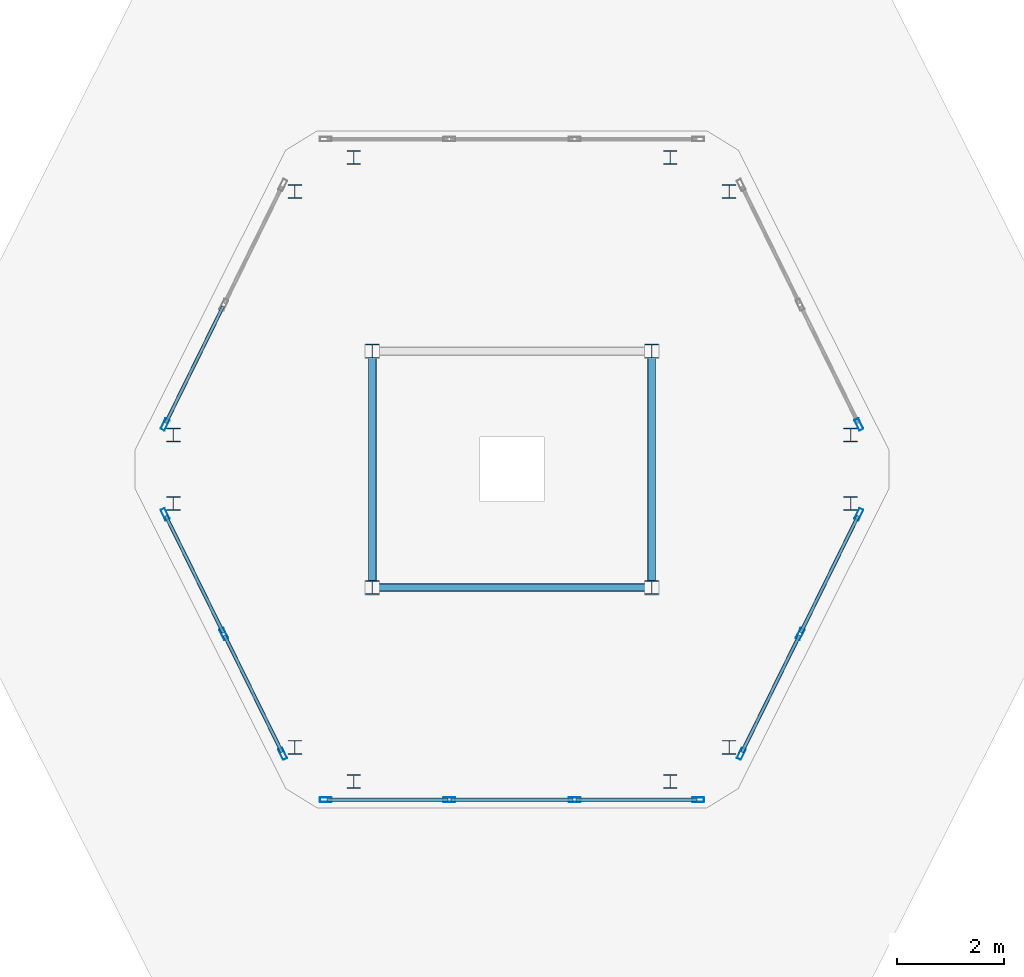
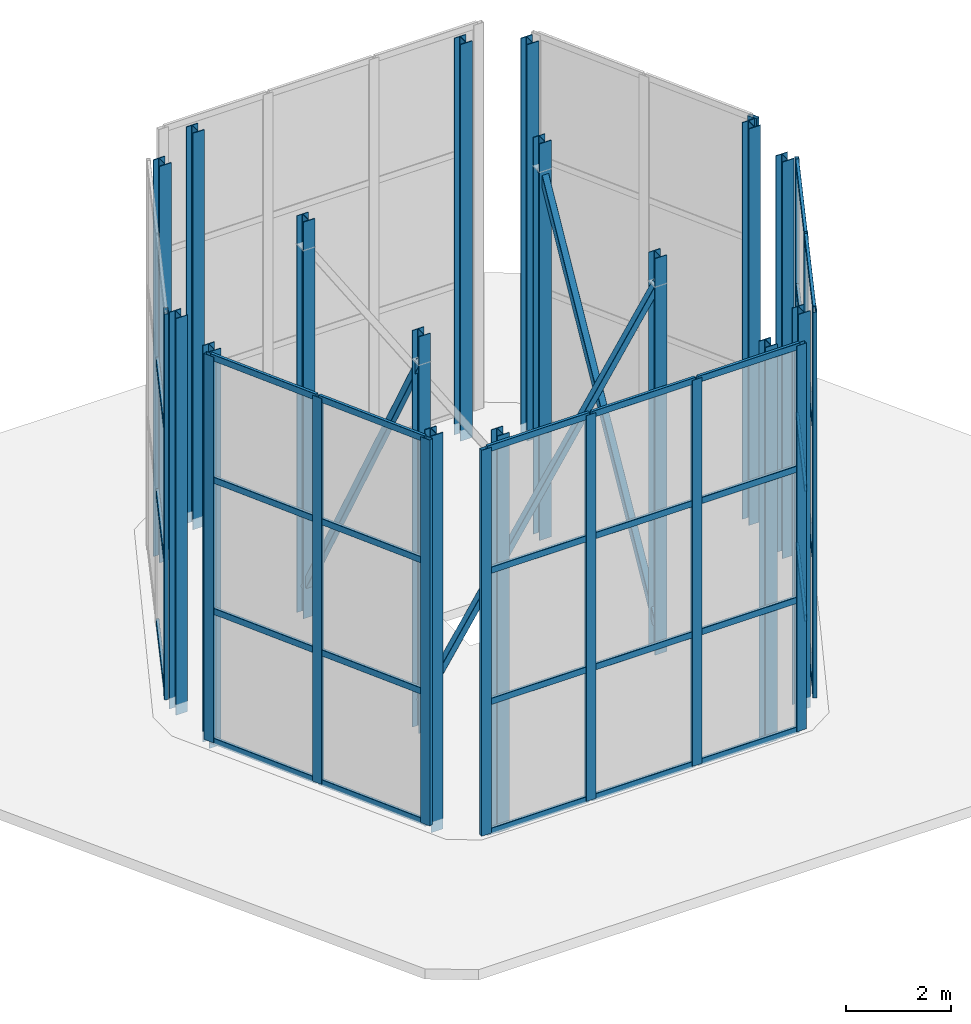
# One storey, part 1 of 3: 46 members, 16 columns, 5 elements without a shape of their own.
"""IFC4 building model written with IfcOpenShell, lengths in metres."""

from ifc_helpers import new_model, si_unit, direction, frame, origin, origin_2d, place, context, subcontext, project, spatial, hollow_rectangle, i_section, extrude, material, layer, layer_set, material_profile, profile_set, type_object, element, aggregate, save


model = new_model("IFC4")

# Units and contexts
model_context = context("Model", 3, precision=1e-05, world=origin(), true_north=direction((0.0, 1.0)))
body_context = subcontext(model_context, "Body", "Model", "MODEL_VIEW")
ifc_project = project(units=[si_unit("LENGTHUNIT", "METRE"), si_unit("AREAUNIT", "SQUARE_METRE"), si_unit("VOLUMEUNIT", "CUBIC_METRE"), si_unit("PLANEANGLEUNIT", "RADIAN"), si_unit("MASSUNIT", "GRAM", prefix="KILO")], contexts=[model_context])

# Site, building, storey
site_placement = place(None, origin())
site = spatial("IfcSite", under=ifc_project, at=site_placement, CompositionType="ELEMENT")
building_placement = place(site_placement, origin())
building = spatial("IfcBuilding", under=site, at=building_placement, Name="Cinnabar Lancet Tower", CompositionType="ELEMENT")
storey_placement = place(building_placement, frame((0.0, 0.0, 333.02490234375)))
storey = spatial("IfcBuildingStorey", under=building, at=storey_placement, Name="L83", CompositionType="ELEMENT", Elevation=333.02490234375)

# Columns
ifc_material_1 = material(Name="Structural steel S460", Category="steel")
ifc_material_profile_1 = material_profile(ifc_material_1, i_section(OverallWidth=0.25634765625, OverallDepth=0.26025390625, WebThickness=0.01025390625, FlangeThickness=0.017333984375, FilletRadius=0.0126953125, at=origin_2d()), Name="UKC 254x254x89")
ifc_profile_set_1 = profile_set([ifc_material_profile_1], Name="Structural steel S460")
column_type = type_object("IfcColumnType", Name="STR-COL-STL-89", PredefinedType="COLUMN", material=ifc_profile_set_1)
for number, where, z_axis, x_axis, name in (
    (1, (29.452880859375, 19.989990234375, -0.25), (0.0, 0.0, 1.0), (1.0, 0.0, 0.0), "L83 Crown Lancet Steel Rib Column 1"),
    (2, (35.346923828125, 19.989990234375, -0.25), (0.0, 0.0, 1.0), (1.0, 0.0, 0.0), "L83 Crown Lancet Steel Rib Column 2"),
    (3, (36.44189453125, 20.6259765625, -0.25), (0.0, 0.0, 1.0), (1.0, 0.0, 0.0), "L83 Crown Lancet Steel Rib Column 3"),
    (4, (38.7041015625, 25.1630859375, -0.25), (0.0, 0.0, 1.0), (1.0, 0.0, 0.0), "L83 Crown Lancet Steel Rib Column 4"),
    (5, (38.7041015625, 26.43701171875, -0.25), (0.0, 0.0, 1.0), (1.0, 0.0, 0.0), "L83 Crown Lancet Steel Rib Column 5"),
    (6, (36.44189453125, 30.97412109375, -0.25), (0.0, 0.0, 1.0), (1.0, 0.0, 0.0), "L83 Crown Lancet Steel Rib Column 6"),
    (7, (35.346923828125, 31.610107421875, -0.25), (0.0, 0.0, 1.0), (1.0, 0.0, 0.0), "L83 Crown Lancet Steel Rib Column 7"),
    (8, (29.452880859375, 31.610107421875, -0.25), (0.0, 0.0, 1.0), (1.0, 0.0, 0.0), "L83 Crown Lancet Steel Rib Column 8"),
    (9, (28.35791015625, 30.97412109375, -0.25), (0.0, 0.0, 1.0), (1.0, 0.0, 0.0), "L83 Crown Lancet Steel Rib Column 9"),
    (10, (26.095947265625, 26.43701171875, -0.25), (0.0, 0.0, 1.0), (1.0, 0.0, 0.0), "L83 Crown Lancet Steel Rib Column 10"),
    (11, (26.095947265625, 25.1630859375, -0.25), (0.0, 0.0, 1.0), (1.0, 0.0, 0.0), "L83 Crown Lancet Steel Rib Column 11"),
    (12, (28.35791015625, 20.6259765625, -0.25), (0.0, 0.0, 1.0), (1.0, 0.0, 0.0), "L83 Crown Lancet Steel Rib Column 12"),
    (13, (29.800048828125, 23.60009765625, -0.25), (0.0, 0.0, 1.0), (1.0, 0.0, 0.0), "L83 Crown Inner Ring Column SW"),
    (14, (35.0, 23.60009765625, -0.25), (0.0, 0.0, 1.0), (1.0, 0.0, 0.0), "L83 Crown Inner Ring Column SE"),
    (15, (35.0, 28.0, -0.25), (0.0, 0.0, 1.0), (1.0, 0.0, 0.0), "L83 Crown Inner Ring Column NE"),
    (16, (29.800048828125, 28.0, -0.25), (0.0, 0.0, 1.0), (1.0, 0.0, 0.0), "L83 Crown Inner Ring Column NW"),
):
    element("IfcColumn", number, at=place(storey_placement, frame(where, z_axis=z_axis, x_axis=x_axis)), inside=storey, type_object=column_type, Name=name, PredefinedType="COLUMN", context=body_context, shape_type="SweptSolid", body=[
        extrude(i_section(OverallWidth=0.25634765625, OverallDepth=0.26025390625, WebThickness=0.01025390625, FlangeThickness=0.017333984375, FilletRadius=0.0126953125, at=origin_2d()), origin(), (0.0, 0.0, 1.0), 9.22509765625),
    ])

# Curtain wall, members
ifc_material_2 = material(Name="Thermally broken bronze-anodized aluminium and low-E glass", Category="aluminium")
ifc_layer = layer(ifc_material_2, 0.179931640625)
ifc_layer_set = layer_set([ifc_layer], Name="Thermally broken bronze-anodized aluminium and low-E glass")
curtain_wall_type = type_object("IfcCurtainWallType", Name="ENV-CW-SYS-06", PredefinedType="NOTDEFINED", material=ifc_layer_set)
curtain_wall_1_placement = place(storey_placement, origin())
curtain_wall_1 = element("IfcCurtainWall", 17, at=curtain_wall_1_placement, inside=storey, type_object=curtain_wall_type, Name="L83 Faceted Lancet Crown Curtain Wall 2", PredefinedType="NOTDEFINED")
ifc_material_3 = material(Name="Anodized architectural aluminium 6063-T6", Category="aluminium")
ifc_material_profile_2 = material_profile(ifc_material_3, hollow_rectangle(XDim=0.0849609375, YDim=0.219970703125, WallThickness=0.0048828125, InnerFilletRadius=0.00244140625, OuterFilletRadius=0.007568359375, at=origin_2d()), Name="CW-MUL 220x85x5")
ifc_profile_set_2 = profile_set([ifc_material_profile_2], Name="Anodized architectural aluminium 6063-T6")
member_type_1 = type_object("IfcMemberType", Name="ENV-CW-MUL-220", PredefinedType="MULLION", material=ifc_profile_set_2)
member_1_placement = place(storey_placement, frame((28.93310546875, 19.64990234375, 0.0), z_axis=(0.0, 0.0, 1.0), x_axis=(0.0, 1.0, 0.0)))
member_1 = element("IfcMember", 18, at=member_1_placement, type_object=member_type_1, Name="CW-06 mullion 1", PredefinedType="MULLION", context=body_context, shape_type="SweptSolid", body=[
    extrude(hollow_rectangle(XDim=0.0849609375, YDim=0.219970703125, WallThickness=0.0048828125, InnerFilletRadius=0.00244140625, OuterFilletRadius=0.007568359375, at=origin_2d()), origin(), (0.0, 0.0, 1.0), 8.97509765625),
])
member_2_placement = place(storey_placement, frame((31.234375, 19.64990234375, 0.0), z_axis=(0.0, 0.0, 1.0), x_axis=(0.0, 1.0, 0.0)))
member_2 = element("IfcMember", 19, at=member_2_placement, type_object=member_type_1, Name="CW-06 mullion 2", PredefinedType="MULLION", context=body_context, shape_type="SweptSolid", body=[
    extrude(hollow_rectangle(XDim=0.0849609375, YDim=0.219970703125, WallThickness=0.0048828125, InnerFilletRadius=0.00244140625, OuterFilletRadius=0.007568359375, at=origin_2d()), origin(), (0.0, 0.0, 1.0), 8.97509765625),
])
member_3_placement = place(storey_placement, frame((33.565673828125, 19.64990234375, 0.0), z_axis=(0.0, 0.0, 1.0), x_axis=(0.0, 1.0, 0.0)))
member_3 = element("IfcMember", 20, at=member_3_placement, type_object=member_type_1, Name="CW-06 mullion 3", PredefinedType="MULLION", context=body_context, shape_type="SweptSolid", body=[
    extrude(hollow_rectangle(XDim=0.0849609375, YDim=0.219970703125, WallThickness=0.0048828125, InnerFilletRadius=0.00244140625, OuterFilletRadius=0.007568359375, at=origin_2d()), origin(), (0.0, 0.0, 1.0), 8.97509765625),
])
member_4_placement = place(storey_placement, frame((35.866943359375, 19.64990234375, 0.0), z_axis=(0.0, 0.0, 1.0), x_axis=(0.0, 1.0, 0.0)))
member_4 = element("IfcMember", 21, at=member_4_placement, type_object=member_type_1, Name="CW-06 mullion 4", PredefinedType="MULLION", context=body_context, shape_type="SweptSolid", body=[
    extrude(hollow_rectangle(XDim=0.0849609375, YDim=0.219970703125, WallThickness=0.0048828125, InnerFilletRadius=0.00244140625, OuterFilletRadius=0.007568359375, at=origin_2d()), origin(), (0.0, 0.0, 1.0), 8.97509765625),
])

curtain_wall_2_placement = place(storey_placement, origin())
curtain_wall_2 = element("IfcCurtainWall", 22, at=curtain_wall_2_placement, inside=storey, type_object=curtain_wall_type, Name="L83 Faceted Lancet Crown Curtain Wall 5", PredefinedType="NOTDEFINED")
member_5_placement = place(storey_placement, frame((36.669189453125, 20.5068359375, 0.0), z_axis=(0.0, 0.0, 1.0), x_axis=(-0.897510109675, 0.440993880945, 0.0)))
member_5 = element("IfcMember", 23, at=member_5_placement, type_object=member_type_1, Name="CW-06 mullion 1", PredefinedType="MULLION", context=body_context, shape_type="SweptSolid", body=[
    extrude(hollow_rectangle(XDim=0.0849609375, YDim=0.219970703125, WallThickness=0.0048828125, InnerFilletRadius=0.00244140625, OuterFilletRadius=0.007568359375, at=origin_2d()), origin(), (0.0, 0.0, 1.0), 8.97509765625),
])
member_6_placement = place(storey_placement, frame((37.763916015625, 22.735107421875, 0.0), z_axis=(0.0, 0.0, 1.0), x_axis=(-0.897510109675, 0.440993880945, 0.0)))
member_6 = element("IfcMember", 24, at=member_6_placement, type_object=member_type_1, Name="CW-06 mullion 2", PredefinedType="MULLION", context=body_context, shape_type="SweptSolid", body=[
    extrude(hollow_rectangle(XDim=0.0849609375, YDim=0.219970703125, WallThickness=0.0048828125, InnerFilletRadius=0.00244140625, OuterFilletRadius=0.007568359375, at=origin_2d()), origin(), (0.0, 0.0, 1.0), 8.97509765625),
])
member_7_placement = place(storey_placement, frame((38.85888671875, 24.963134765625, 0.0), z_axis=(0.0, 0.0, 1.0), x_axis=(-0.897510109675, 0.440993880945, 0.0)))
member_7 = element("IfcMember", 25, at=member_7_placement, type_object=member_type_1, Name="CW-06 mullion 3", PredefinedType="MULLION", context=body_context, shape_type="SweptSolid", body=[
    extrude(hollow_rectangle(XDim=0.0849609375, YDim=0.219970703125, WallThickness=0.0048828125, InnerFilletRadius=0.00244140625, OuterFilletRadius=0.007568359375, at=origin_2d()), origin(), (0.0, 0.0, 1.0), 8.97509765625),
])

# Curtain wall, member
curtain_wall_3_placement = place(storey_placement, origin())
curtain_wall_3 = element("IfcCurtainWall", 26, at=curtain_wall_3_placement, inside=storey, type_object=curtain_wall_type, Name="L83 Faceted Lancet Crown Curtain Wall 7", PredefinedType="NOTDEFINED")
member_8_placement = place(storey_placement, frame((38.85888671875, 26.636962890625, 0.0), z_axis=(0.0, 0.0, 1.0), x_axis=(-0.897510109675, -0.440993880945, 0.0)))
member_8 = element("IfcMember", 27, at=member_8_placement, type_object=member_type_1, Name="CW-06 mullion 1", PredefinedType="MULLION", context=body_context, shape_type="SweptSolid", body=[
    extrude(hollow_rectangle(XDim=0.0849609375, YDim=0.219970703125, WallThickness=0.0048828125, InnerFilletRadius=0.00244140625, OuterFilletRadius=0.007568359375, at=origin_2d()), origin(), (0.0, 0.0, 1.0), 8.97509765625),
])
aggregate(curtain_wall_3, [member_8])

curtain_wall_4_placement = place(storey_placement, origin())
curtain_wall_4 = element("IfcCurtainWall", 28, at=curtain_wall_4_placement, inside=storey, type_object=curtain_wall_type, Name="L83 Faceted Lancet Crown Curtain Wall 13", PredefinedType="NOTDEFINED")
member_9_placement = place(storey_placement, frame((25.941162109375, 26.636962890625, 0.0), z_axis=(0.0, 0.0, 1.0), x_axis=(0.897510109675, -0.440993880945, 0.0)))
member_9 = element("IfcMember", 29, at=member_9_placement, type_object=member_type_1, Name="CW-06 mullion 3", PredefinedType="MULLION", context=body_context, shape_type="SweptSolid", body=[
    extrude(hollow_rectangle(XDim=0.0849609375, YDim=0.219970703125, WallThickness=0.0048828125, InnerFilletRadius=0.00244140625, OuterFilletRadius=0.007568359375, at=origin_2d()), origin(), (0.0, 0.0, 1.0), 8.97509765625),
])

# Curtain wall, members
curtain_wall_5_placement = place(storey_placement, origin())
curtain_wall_5 = element("IfcCurtainWall", 30, at=curtain_wall_5_placement, inside=storey, type_object=curtain_wall_type, Name="L83 Faceted Lancet Crown Curtain Wall 15", PredefinedType="NOTDEFINED")
member_10_placement = place(storey_placement, frame((25.941162109375, 24.963134765625, 0.0), z_axis=(0.0, 0.0, 1.0), x_axis=(0.897510109675, 0.440993880945, 0.0)))
member_10 = element("IfcMember", 31, at=member_10_placement, type_object=member_type_1, Name="CW-06 mullion 1", PredefinedType="MULLION", context=body_context, shape_type="SweptSolid", body=[
    extrude(hollow_rectangle(XDim=0.0849609375, YDim=0.219970703125, WallThickness=0.0048828125, InnerFilletRadius=0.00244140625, OuterFilletRadius=0.007568359375, at=origin_2d()), origin(), (0.0, 0.0, 1.0), 8.97509765625),
])
member_11_placement = place(storey_placement, frame((27.035888671875, 22.735107421875, 0.0), z_axis=(0.0, 0.0, 1.0), x_axis=(0.897510109675, 0.440993880945, 0.0)))
member_11 = element("IfcMember", 32, at=member_11_placement, type_object=member_type_1, Name="CW-06 mullion 2", PredefinedType="MULLION", context=body_context, shape_type="SweptSolid", body=[
    extrude(hollow_rectangle(XDim=0.0849609375, YDim=0.219970703125, WallThickness=0.0048828125, InnerFilletRadius=0.00244140625, OuterFilletRadius=0.007568359375, at=origin_2d()), origin(), (0.0, 0.0, 1.0), 8.97509765625),
])
member_12_placement = place(storey_placement, frame((28.130859375, 20.5068359375, 0.0), z_axis=(0.0, 0.0, 1.0), x_axis=(0.897510109675, 0.440993880945, 0.0)))
member_12 = element("IfcMember", 33, at=member_12_placement, type_object=member_type_1, Name="CW-06 mullion 3", PredefinedType="MULLION", context=body_context, shape_type="SweptSolid", body=[
    extrude(hollow_rectangle(XDim=0.0849609375, YDim=0.219970703125, WallThickness=0.0048828125, InnerFilletRadius=0.00244140625, OuterFilletRadius=0.007568359375, at=origin_2d()), origin(), (0.0, 0.0, 1.0), 8.97509765625),
])

# Member
ifc_material_4 = material(Name="Anodized architectural aluminium 6063-T6", Category="aluminium")
ifc_material_profile_3 = material_profile(ifc_material_4, hollow_rectangle(XDim=0.06494140625, YDim=0.14990234375, WallThickness=0.00390625, InnerFilletRadius=0.001953125, OuterFilletRadius=0.006103515625, at=origin_2d()), Name="CW-TRN 150x65x4")
ifc_profile_set_3 = profile_set([ifc_material_profile_3], Name="Anodized architectural aluminium 6063-T6")
member_type_2 = type_object("IfcMemberType", Name="ENV-CW-TRN-160", PredefinedType="USERDEFINED", material=ifc_profile_set_3)
member_13_placement = place(storey_placement, frame((28.962890625, 19.64990234375, 0.030029296875), z_axis=(1.0, 0.0, 0.0), x_axis=(0.0, 1.0, 0.0)))
member_13 = element("IfcMember", 34, at=member_13_placement, type_object=member_type_2, Name="CW-06 transom 1.1", ObjectType="TRANSOM", PredefinedType="USERDEFINED", context=body_context, shape_type="SweptSolid", body=[
    extrude(hollow_rectangle(XDim=0.06494140625, YDim=0.14990234375, WallThickness=0.00390625, InnerFilletRadius=0.001953125, OuterFilletRadius=0.006103515625, at=origin_2d()), origin(), (0.0, 0.0, 1.0), 2.241455078125),
])

member_14_placement = place(storey_placement, frame((28.962890625, 19.64990234375, 3.052001953125), z_axis=(1.0, 0.0, 0.0), x_axis=(0.0, 1.0, 0.0)))
member_14 = element("IfcMember", 35, at=member_14_placement, type_object=member_type_2, Name="CW-06 transom 1.2", ObjectType="TRANSOM", PredefinedType="USERDEFINED", context=body_context, shape_type="SweptSolid", body=[
    extrude(hollow_rectangle(XDim=0.06494140625, YDim=0.14990234375, WallThickness=0.00390625, InnerFilletRadius=0.001953125, OuterFilletRadius=0.006103515625, at=origin_2d()), origin(), (0.0, 0.0, 1.0), 2.241455078125),
])

member_15_placement = place(storey_placement, frame((28.962890625, 19.64990234375, 6.10302734375), z_axis=(1.0, 0.0, 0.0), x_axis=(0.0, 1.0, 0.0)))
member_15 = element("IfcMember", 36, at=member_15_placement, type_object=member_type_2, Name="CW-06 transom 1.3", ObjectType="TRANSOM", PredefinedType="USERDEFINED", context=body_context, shape_type="SweptSolid", body=[
    extrude(hollow_rectangle(XDim=0.06494140625, YDim=0.14990234375, WallThickness=0.00390625, InnerFilletRadius=0.001953125, OuterFilletRadius=0.006103515625, at=origin_2d()), origin(), (0.0, 0.0, 1.0), 2.241455078125),
])

member_16_placement = place(storey_placement, frame((28.962890625, 19.64990234375, 8.945068359375), z_axis=(1.0, 0.0, 0.0), x_axis=(0.0, 1.0, 0.0)))
member_16 = element("IfcMember", 37, at=member_16_placement, type_object=member_type_2, Name="CW-06 transom 1.4", ObjectType="TRANSOM", PredefinedType="USERDEFINED", context=body_context, shape_type="SweptSolid", body=[
    extrude(hollow_rectangle(XDim=0.06494140625, YDim=0.14990234375, WallThickness=0.00390625, InnerFilletRadius=0.001953125, OuterFilletRadius=0.006103515625, at=origin_2d()), origin(), (0.0, 0.0, 1.0), 2.241455078125),
])

member_17_placement = place(storey_placement, frame((31.264404296875, 19.64990234375, 0.030029296875), z_axis=(1.0, 0.0, 0.0), x_axis=(0.0, 1.0, 0.0)))
member_17 = element("IfcMember", 38, at=member_17_placement, type_object=member_type_2, Name="CW-06 transom 2.1", ObjectType="TRANSOM", PredefinedType="USERDEFINED", context=body_context, shape_type="SweptSolid", body=[
    extrude(hollow_rectangle(XDim=0.06494140625, YDim=0.14990234375, WallThickness=0.00390625, InnerFilletRadius=0.001953125, OuterFilletRadius=0.006103515625, at=origin_2d()), origin(), (0.0, 0.0, 1.0), 2.271240234375),
])

member_18_placement = place(storey_placement, frame((31.264404296875, 19.64990234375, 3.052001953125), z_axis=(1.0, 0.0, 0.0), x_axis=(0.0, 1.0, 0.0)))
member_18 = element("IfcMember", 39, at=member_18_placement, type_object=member_type_2, Name="CW-06 transom 2.2", ObjectType="TRANSOM", PredefinedType="USERDEFINED", context=body_context, shape_type="SweptSolid", body=[
    extrude(hollow_rectangle(XDim=0.06494140625, YDim=0.14990234375, WallThickness=0.00390625, InnerFilletRadius=0.001953125, OuterFilletRadius=0.006103515625, at=origin_2d()), origin(), (0.0, 0.0, 1.0), 2.271240234375),
])

member_19_placement = place(storey_placement, frame((31.264404296875, 19.64990234375, 6.10302734375), z_axis=(1.0, 0.0, 0.0), x_axis=(0.0, 1.0, 0.0)))
member_19 = element("IfcMember", 40, at=member_19_placement, type_object=member_type_2, Name="CW-06 transom 2.3", ObjectType="TRANSOM", PredefinedType="USERDEFINED", context=body_context, shape_type="SweptSolid", body=[
    extrude(hollow_rectangle(XDim=0.06494140625, YDim=0.14990234375, WallThickness=0.00390625, InnerFilletRadius=0.001953125, OuterFilletRadius=0.006103515625, at=origin_2d()), origin(), (0.0, 0.0, 1.0), 2.271240234375),
])

member_20_placement = place(storey_placement, frame((31.264404296875, 19.64990234375, 8.945068359375), z_axis=(1.0, 0.0, 0.0), x_axis=(0.0, 1.0, 0.0)))
member_20 = element("IfcMember", 41, at=member_20_placement, type_object=member_type_2, Name="CW-06 transom 2.4", ObjectType="TRANSOM", PredefinedType="USERDEFINED", context=body_context, shape_type="SweptSolid", body=[
    extrude(hollow_rectangle(XDim=0.06494140625, YDim=0.14990234375, WallThickness=0.00390625, InnerFilletRadius=0.001953125, OuterFilletRadius=0.006103515625, at=origin_2d()), origin(), (0.0, 0.0, 1.0), 2.271240234375),
])

member_21_placement = place(storey_placement, frame((33.595703125, 19.64990234375, 0.030029296875), z_axis=(1.0, 0.0, 0.0), x_axis=(0.0, 1.0, 0.0)))
member_21 = element("IfcMember", 42, at=member_21_placement, type_object=member_type_2, Name="CW-06 transom 3.1", ObjectType="TRANSOM", PredefinedType="USERDEFINED", context=body_context, shape_type="SweptSolid", body=[
    extrude(hollow_rectangle(XDim=0.06494140625, YDim=0.14990234375, WallThickness=0.00390625, InnerFilletRadius=0.001953125, OuterFilletRadius=0.006103515625, at=origin_2d()), origin(), (0.0, 0.0, 1.0), 2.2412109375),
])

member_22_placement = place(storey_placement, frame((33.595703125, 19.64990234375, 3.052001953125), z_axis=(1.0, 0.0, 0.0), x_axis=(0.0, 1.0, 0.0)))
member_22 = element("IfcMember", 43, at=member_22_placement, type_object=member_type_2, Name="CW-06 transom 3.2", ObjectType="TRANSOM", PredefinedType="USERDEFINED", context=body_context, shape_type="SweptSolid", body=[
    extrude(hollow_rectangle(XDim=0.06494140625, YDim=0.14990234375, WallThickness=0.00390625, InnerFilletRadius=0.001953125, OuterFilletRadius=0.006103515625, at=origin_2d()), origin(), (0.0, 0.0, 1.0), 2.2412109375),
])

member_23_placement = place(storey_placement, frame((33.595703125, 19.64990234375, 6.10302734375), z_axis=(1.0, 0.0, 0.0), x_axis=(0.0, 1.0, 0.0)))
member_23 = element("IfcMember", 44, at=member_23_placement, type_object=member_type_2, Name="CW-06 transom 3.3", ObjectType="TRANSOM", PredefinedType="USERDEFINED", context=body_context, shape_type="SweptSolid", body=[
    extrude(hollow_rectangle(XDim=0.06494140625, YDim=0.14990234375, WallThickness=0.00390625, InnerFilletRadius=0.001953125, OuterFilletRadius=0.006103515625, at=origin_2d()), origin(), (0.0, 0.0, 1.0), 2.2412109375),
])

member_24_placement = place(storey_placement, frame((33.595703125, 19.64990234375, 8.945068359375), z_axis=(1.0, 0.0, 0.0), x_axis=(0.0, 1.0, 0.0)))
member_24 = element("IfcMember", 45, at=member_24_placement, type_object=member_type_2, Name="CW-06 transom 3.4", ObjectType="TRANSOM", PredefinedType="USERDEFINED", context=body_context, shape_type="SweptSolid", body=[
    extrude(hollow_rectangle(XDim=0.06494140625, YDim=0.14990234375, WallThickness=0.00390625, InnerFilletRadius=0.001953125, OuterFilletRadius=0.006103515625, at=origin_2d()), origin(), (0.0, 0.0, 1.0), 2.2412109375),
])

aggregate(curtain_wall_1, [member_1, member_2, member_3, member_4, member_13, member_14, member_15, member_16, member_17, member_18, member_19, member_20, member_21, member_22, member_23, member_24])

member_25_placement = place(storey_placement, frame((36.682373046875, 20.533935546875, 0.030029296875), z_axis=(0.441034922873, 0.897489942454, 0.0), x_axis=(-0.897489942454, 0.441034922873, 0.0)))
member_25 = element("IfcMember", 46, at=member_25_placement, type_object=member_type_2, Name="CW-06 transom 1.1", ObjectType="TRANSOM", PredefinedType="USERDEFINED", context=body_context, shape_type="SweptSolid", body=[
    extrude(hollow_rectangle(XDim=0.06494140625, YDim=0.14990234375, WallThickness=0.00390625, InnerFilletRadius=0.001953125, OuterFilletRadius=0.006103515625, at=origin_2d()), origin(), (0.0, 0.0, 1.0), 2.42236328125),
])

member_26_placement = place(storey_placement, frame((36.682373046875, 20.533935546875, 3.052001953125), z_axis=(0.441034922873, 0.897489942454, 0.0), x_axis=(-0.897489942454, 0.441034922873, 0.0)))
member_26 = element("IfcMember", 47, at=member_26_placement, type_object=member_type_2, Name="CW-06 transom 1.2", ObjectType="TRANSOM", PredefinedType="USERDEFINED", context=body_context, shape_type="SweptSolid", body=[
    extrude(hollow_rectangle(XDim=0.06494140625, YDim=0.14990234375, WallThickness=0.00390625, InnerFilletRadius=0.001953125, OuterFilletRadius=0.006103515625, at=origin_2d()), origin(), (0.0, 0.0, 1.0), 2.42236328125),
])

member_27_placement = place(storey_placement, frame((36.682373046875, 20.533935546875, 6.10302734375), z_axis=(0.441034922873, 0.897489942454, 0.0), x_axis=(-0.897489942454, 0.441034922873, 0.0)))
member_27 = element("IfcMember", 48, at=member_27_placement, type_object=member_type_2, Name="CW-06 transom 1.3", ObjectType="TRANSOM", PredefinedType="USERDEFINED", context=body_context, shape_type="SweptSolid", body=[
    extrude(hollow_rectangle(XDim=0.06494140625, YDim=0.14990234375, WallThickness=0.00390625, InnerFilletRadius=0.001953125, OuterFilletRadius=0.006103515625, at=origin_2d()), origin(), (0.0, 0.0, 1.0), 2.42236328125),
])

member_28_placement = place(storey_placement, frame((36.682373046875, 20.533935546875, 8.945068359375), z_axis=(0.441034922873, 0.897489942454, 0.0), x_axis=(-0.897489942454, 0.441034922873, 0.0)))
member_28 = element("IfcMember", 49, at=member_28_placement, type_object=member_type_2, Name="CW-06 transom 1.4", ObjectType="TRANSOM", PredefinedType="USERDEFINED", context=body_context, shape_type="SweptSolid", body=[
    extrude(hollow_rectangle(XDim=0.06494140625, YDim=0.14990234375, WallThickness=0.00390625, InnerFilletRadius=0.001953125, OuterFilletRadius=0.006103515625, at=origin_2d()), origin(), (0.0, 0.0, 1.0), 2.42236328125),
])

member_29_placement = place(storey_placement, frame((37.77734375, 22.761962890625, 0.030029296875), z_axis=(0.440953736376, 0.897529833697, 0.0), x_axis=(-0.897529833697, 0.440953736376, 0.0)))
member_29 = element("IfcMember", 50, at=member_29_placement, type_object=member_type_2, Name="CW-06 transom 2.1", ObjectType="TRANSOM", PredefinedType="USERDEFINED", context=body_context, shape_type="SweptSolid", body=[
    extrude(hollow_rectangle(XDim=0.06494140625, YDim=0.14990234375, WallThickness=0.00390625, InnerFilletRadius=0.001953125, OuterFilletRadius=0.006103515625, at=origin_2d()), origin(), (0.0, 0.0, 1.0), 2.42236328125),
])

member_30_placement = place(storey_placement, frame((37.77734375, 22.761962890625, 3.052001953125), z_axis=(0.440953736376, 0.897529833697, 0.0), x_axis=(-0.897529833697, 0.440953736376, 0.0)))
member_30 = element("IfcMember", 51, at=member_30_placement, type_object=member_type_2, Name="CW-06 transom 2.2", ObjectType="TRANSOM", PredefinedType="USERDEFINED", context=body_context, shape_type="SweptSolid", body=[
    extrude(hollow_rectangle(XDim=0.06494140625, YDim=0.14990234375, WallThickness=0.00390625, InnerFilletRadius=0.001953125, OuterFilletRadius=0.006103515625, at=origin_2d()), origin(), (0.0, 0.0, 1.0), 2.42236328125),
])

member_31_placement = place(storey_placement, frame((37.77734375, 22.761962890625, 6.10302734375), z_axis=(0.440953736376, 0.897529833697, 0.0), x_axis=(-0.897529833697, 0.440953736376, 0.0)))
member_31 = element("IfcMember", 52, at=member_31_placement, type_object=member_type_2, Name="CW-06 transom 2.3", ObjectType="TRANSOM", PredefinedType="USERDEFINED", context=body_context, shape_type="SweptSolid", body=[
    extrude(hollow_rectangle(XDim=0.06494140625, YDim=0.14990234375, WallThickness=0.00390625, InnerFilletRadius=0.001953125, OuterFilletRadius=0.006103515625, at=origin_2d()), origin(), (0.0, 0.0, 1.0), 2.42236328125),
])

member_32_placement = place(storey_placement, frame((37.77734375, 22.761962890625, 8.945068359375), z_axis=(0.440953736376, 0.897529833697, 0.0), x_axis=(-0.897529833697, 0.440953736376, 0.0)))
member_32 = element("IfcMember", 53, at=member_32_placement, type_object=member_type_2, Name="CW-06 transom 2.4", ObjectType="TRANSOM", PredefinedType="USERDEFINED", context=body_context, shape_type="SweptSolid", body=[
    extrude(hollow_rectangle(XDim=0.06494140625, YDim=0.14990234375, WallThickness=0.00390625, InnerFilletRadius=0.001953125, OuterFilletRadius=0.006103515625, at=origin_2d()), origin(), (0.0, 0.0, 1.0), 2.42236328125),
])

aggregate(curtain_wall_2, [member_5, member_6, member_7, member_25, member_26, member_27, member_28, member_29, member_30, member_31, member_32])

member_33_placement = place(storey_placement, frame((27.022705078125, 28.838134765625, 0.030029296875), z_axis=(-0.440995032904, -0.897509543656, 0.0), x_axis=(0.897509543656, -0.440995032904, 0.0)))
member_33 = element("IfcMember", 54, at=member_33_placement, type_object=member_type_2, Name="CW-06 transom 2.1", ObjectType="TRANSOM", PredefinedType="USERDEFINED", context=body_context, shape_type="SweptSolid", body=[
    extrude(hollow_rectangle(XDim=0.06494140625, YDim=0.14990234375, WallThickness=0.00390625, InnerFilletRadius=0.001953125, OuterFilletRadius=0.006103515625, at=origin_2d()), origin(), (0.0, 0.0, 1.0), 2.422607421875),
])

member_34_placement = place(storey_placement, frame((27.022705078125, 28.838134765625, 3.052001953125), z_axis=(-0.440995032904, -0.897509543656, 0.0), x_axis=(0.897509543656, -0.440995032904, 0.0)))
member_34 = element("IfcMember", 55, at=member_34_placement, type_object=member_type_2, Name="CW-06 transom 2.2", ObjectType="TRANSOM", PredefinedType="USERDEFINED", context=body_context, shape_type="SweptSolid", body=[
    extrude(hollow_rectangle(XDim=0.06494140625, YDim=0.14990234375, WallThickness=0.00390625, InnerFilletRadius=0.001953125, OuterFilletRadius=0.006103515625, at=origin_2d()), origin(), (0.0, 0.0, 1.0), 2.422607421875),
])

member_35_placement = place(storey_placement, frame((27.022705078125, 28.838134765625, 6.10302734375), z_axis=(-0.440995032904, -0.897509543656, 0.0), x_axis=(0.897509543656, -0.440995032904, 0.0)))
member_35 = element("IfcMember", 56, at=member_35_placement, type_object=member_type_2, Name="CW-06 transom 2.3", ObjectType="TRANSOM", PredefinedType="USERDEFINED", context=body_context, shape_type="SweptSolid", body=[
    extrude(hollow_rectangle(XDim=0.06494140625, YDim=0.14990234375, WallThickness=0.00390625, InnerFilletRadius=0.001953125, OuterFilletRadius=0.006103515625, at=origin_2d()), origin(), (0.0, 0.0, 1.0), 2.422607421875),
])

aggregate(curtain_wall_4, [member_9, member_33, member_34, member_35])

member_36_placement = place(storey_placement, frame((25.954345703125, 24.93603515625, 0.030029296875), z_axis=(0.441034922873, -0.897489942454, 0.0), x_axis=(0.897489942454, 0.441034922873, 0.0)))
member_36 = element("IfcMember", 57, at=member_36_placement, type_object=member_type_2, Name="CW-06 transom 1.1", ObjectType="TRANSOM", PredefinedType="USERDEFINED", context=body_context, shape_type="SweptSolid", body=[
    extrude(hollow_rectangle(XDim=0.06494140625, YDim=0.14990234375, WallThickness=0.00390625, InnerFilletRadius=0.001953125, OuterFilletRadius=0.006103515625, at=origin_2d()), origin(), (0.0, 0.0, 1.0), 2.42236328125),
])

member_37_placement = place(storey_placement, frame((25.954345703125, 24.93603515625, 3.052001953125), z_axis=(0.441034922873, -0.897489942454, 0.0), x_axis=(0.897489942454, 0.441034922873, 0.0)))
member_37 = element("IfcMember", 58, at=member_37_placement, type_object=member_type_2, Name="CW-06 transom 1.2", ObjectType="TRANSOM", PredefinedType="USERDEFINED", context=body_context, shape_type="SweptSolid", body=[
    extrude(hollow_rectangle(XDim=0.06494140625, YDim=0.14990234375, WallThickness=0.00390625, InnerFilletRadius=0.001953125, OuterFilletRadius=0.006103515625, at=origin_2d()), origin(), (0.0, 0.0, 1.0), 2.42236328125),
])

member_38_placement = place(storey_placement, frame((25.954345703125, 24.93603515625, 6.10302734375), z_axis=(0.441034922873, -0.897489942454, 0.0), x_axis=(0.897489942454, 0.441034922873, 0.0)))
member_38 = element("IfcMember", 59, at=member_38_placement, type_object=member_type_2, Name="CW-06 transom 1.3", ObjectType="TRANSOM", PredefinedType="USERDEFINED", context=body_context, shape_type="SweptSolid", body=[
    extrude(hollow_rectangle(XDim=0.06494140625, YDim=0.14990234375, WallThickness=0.00390625, InnerFilletRadius=0.001953125, OuterFilletRadius=0.006103515625, at=origin_2d()), origin(), (0.0, 0.0, 1.0), 2.42236328125),
])

member_39_placement = place(storey_placement, frame((25.954345703125, 24.93603515625, 8.945068359375), z_axis=(0.441034922873, -0.897489942454, 0.0), x_axis=(0.897489942454, 0.441034922873, 0.0)))
member_39 = element("IfcMember", 60, at=member_39_placement, type_object=member_type_2, Name="CW-06 transom 1.4", ObjectType="TRANSOM", PredefinedType="USERDEFINED", context=body_context, shape_type="SweptSolid", body=[
    extrude(hollow_rectangle(XDim=0.06494140625, YDim=0.14990234375, WallThickness=0.00390625, InnerFilletRadius=0.001953125, OuterFilletRadius=0.006103515625, at=origin_2d()), origin(), (0.0, 0.0, 1.0), 2.42236328125),
])

member_40_placement = place(storey_placement, frame((27.04931640625, 22.7080078125, 0.030029296875), z_axis=(0.440953736376, -0.897529833697, 0.0), x_axis=(0.897529833697, 0.440953736376, 0.0)))
member_40 = element("IfcMember", 61, at=member_40_placement, type_object=member_type_2, Name="CW-06 transom 2.1", ObjectType="TRANSOM", PredefinedType="USERDEFINED", context=body_context, shape_type="SweptSolid", body=[
    extrude(hollow_rectangle(XDim=0.06494140625, YDim=0.14990234375, WallThickness=0.00390625, InnerFilletRadius=0.001953125, OuterFilletRadius=0.006103515625, at=origin_2d()), origin(), (0.0, 0.0, 1.0), 2.42236328125),
])

member_41_placement = place(storey_placement, frame((27.04931640625, 22.7080078125, 3.052001953125), z_axis=(0.440953736376, -0.897529833697, 0.0), x_axis=(0.897529833697, 0.440953736376, 0.0)))
member_41 = element("IfcMember", 62, at=member_41_placement, type_object=member_type_2, Name="CW-06 transom 2.2", ObjectType="TRANSOM", PredefinedType="USERDEFINED", context=body_context, shape_type="SweptSolid", body=[
    extrude(hollow_rectangle(XDim=0.06494140625, YDim=0.14990234375, WallThickness=0.00390625, InnerFilletRadius=0.001953125, OuterFilletRadius=0.006103515625, at=origin_2d()), origin(), (0.0, 0.0, 1.0), 2.42236328125),
])

member_42_placement = place(storey_placement, frame((27.04931640625, 22.7080078125, 6.10302734375), z_axis=(0.440953736376, -0.897529833697, 0.0), x_axis=(0.897529833697, 0.440953736376, 0.0)))
member_42 = element("IfcMember", 63, at=member_42_placement, type_object=member_type_2, Name="CW-06 transom 2.3", ObjectType="TRANSOM", PredefinedType="USERDEFINED", context=body_context, shape_type="SweptSolid", body=[
    extrude(hollow_rectangle(XDim=0.06494140625, YDim=0.14990234375, WallThickness=0.00390625, InnerFilletRadius=0.001953125, OuterFilletRadius=0.006103515625, at=origin_2d()), origin(), (0.0, 0.0, 1.0), 2.42236328125),
])

member_43_placement = place(storey_placement, frame((27.04931640625, 22.7080078125, 8.945068359375), z_axis=(0.440953736376, -0.897529833697, 0.0), x_axis=(0.897529833697, 0.440953736376, 0.0)))
member_43 = element("IfcMember", 64, at=member_43_placement, type_object=member_type_2, Name="CW-06 transom 2.4", ObjectType="TRANSOM", PredefinedType="USERDEFINED", context=body_context, shape_type="SweptSolid", body=[
    extrude(hollow_rectangle(XDim=0.06494140625, YDim=0.14990234375, WallThickness=0.00390625, InnerFilletRadius=0.001953125, OuterFilletRadius=0.006103515625, at=origin_2d()), origin(), (0.0, 0.0, 1.0), 2.42236328125),
])

aggregate(curtain_wall_5, [member_10, member_11, member_12, member_36, member_37, member_38, member_39, member_40, member_41, member_42, member_43])

# Members
ifc_material_5 = material(Name="Structural steel S460", Category="steel")
ifc_material_profile_4 = material_profile(ifc_material_5, hollow_rectangle(XDim=0.14990234375, YDim=0.14990234375, WallThickness=0.008056640625, InnerFilletRadius=0.00390625, OuterFilletRadius=0.011962890625, at=origin_2d()), Name="SHS 150x150x8")
ifc_profile_set_4 = profile_set([ifc_material_profile_4], Name="Structural steel S460")
member_type_3 = type_object("IfcMemberType", Name="STR-MEM-CRN-SHS150", PredefinedType="BRACE", material=ifc_profile_set_4)
member_44_placement = place(storey_placement, frame((29.800048828125, 23.60009765625, 0.35009765625), z_axis=(0.547142770571, 0.0, 0.837039299323), x_axis=(0.0, 1.0, 0.0)))
element("IfcMember", 65, at=member_44_placement, inside=storey, type_object=member_type_3, Name="L83 Crown Lancet Core Brace 1", PredefinedType="BRACE", context=body_context, shape_type="SweptSolid", body=[
    extrude(hollow_rectangle(XDim=0.14990234375, YDim=0.14990234375, WallThickness=0.008056640625, InnerFilletRadius=0.00390625, OuterFilletRadius=0.011962890625, at=origin_2d()), origin(), (0.0, 0.0, 1.0), 9.50390625),
])
for number, where, z_axis, x_axis, name in (
    (66, (35.0, 23.60009765625, 0.35009765625), (0.0, 0.483995756909, 0.875070344198), (-1.0, 0.0, 0.0), "L83 Crown Lancet Core Brace 2"),
    (67, (29.800048828125, 28.0, 0.35009765625), (0.0, -0.483995756909, 0.875070344198), (1.0, 0.0, 0.0), "L83 Crown Lancet Core Brace 4"),
):
    element("IfcMember", number, at=place(storey_placement, frame(where, z_axis=z_axis, x_axis=x_axis)), inside=storey, type_object=member_type_3, Name=name, PredefinedType="BRACE", context=body_context, shape_type="SweptSolid", body=[
        extrude(hollow_rectangle(XDim=0.14990234375, YDim=0.14990234375, WallThickness=0.008056640625, InnerFilletRadius=0.00390625, OuterFilletRadius=0.011962890625, at=origin_2d()), origin(), (0.0, 0.0, 1.0), 9.0908203125),
    ])

save(model, "model.ifc")
